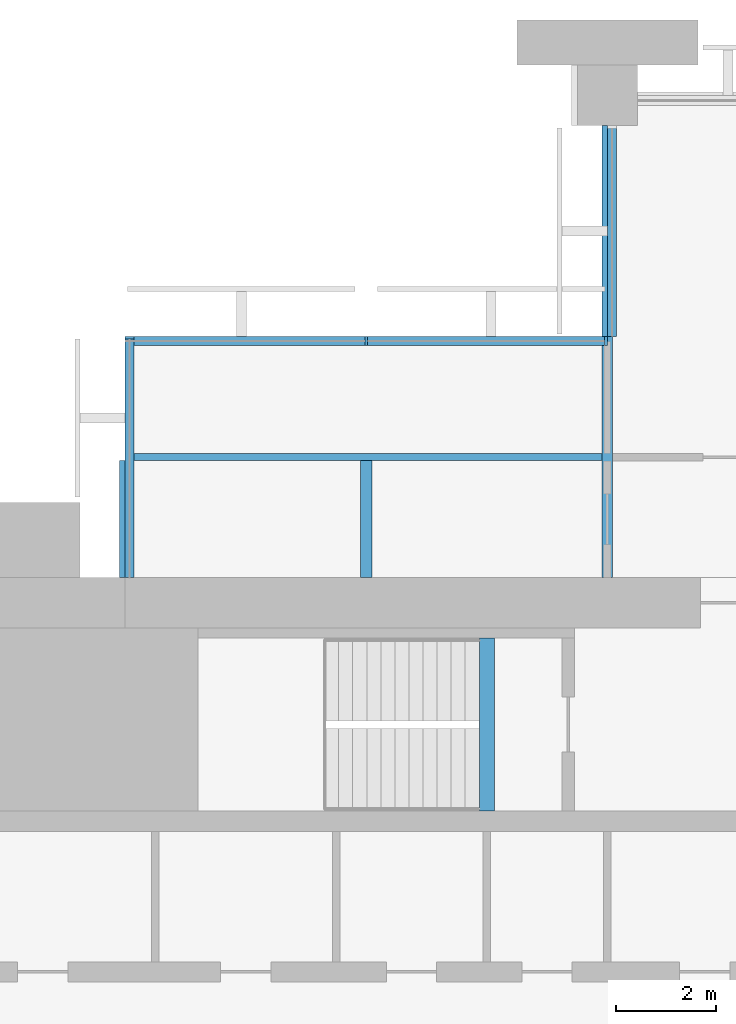
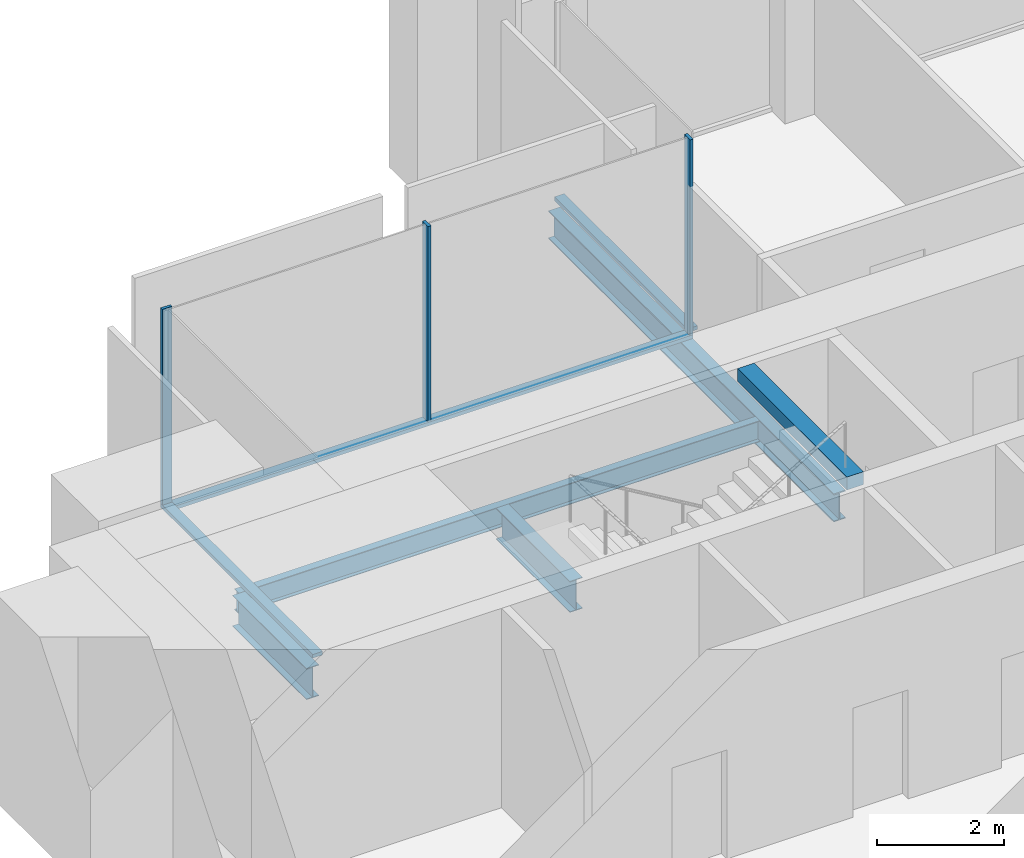
# One storey, part 5 of 14: 6 members, 5 beams, 3 elements without a shape of their own.
"""IFC4 building model written with IfcOpenShell, lengths in metres."""

from ifc_helpers import new_model, si_unit, direction, frame, origin, origin_2d, place, context, subcontext, project, spatial, rectangle, i_section, extrude, material, material_profile, profile_set, type_object, element, aggregate, save


model = new_model("IFC4")

# Units and contexts
model_context = context("Model", 3, precision=1e-05, world=origin(), true_north=direction((0.0, 1.0)))
body_context = subcontext(model_context, "Body", "Model", "MODEL_VIEW")
ifc_project = project(units=[si_unit("LENGTHUNIT", "METRE"), si_unit("AREAUNIT", "SQUARE_METRE"), si_unit("VOLUMEUNIT", "CUBIC_METRE"), si_unit("PLANEANGLEUNIT", "RADIAN"), si_unit("MASSUNIT", "GRAM", prefix="KILO")], contexts=[model_context])

# Site, building, storey
site_placement = place(None, origin())
site = spatial("IfcSite", under=ifc_project, at=site_placement, CompositionType="ELEMENT")
building_placement = place(site_placement, origin())
building = spatial("IfcBuilding", under=site, at=building_placement, Name="Baori Bourse Tower", CompositionType="ELEMENT")
storey_placement = place(building_placement, frame((0.0, 0.0, 120.10009765625)))
storey = spatial("IfcBuildingStorey", under=building, at=storey_placement, Name="L25", CompositionType="ELEMENT", Elevation=120.10009765625)

# Curtain wall, members
ifc_material_1 = material(Name="Pale anodised aluminium", Category="aluminium")
curtain_wall_type = type_object("IfcCurtainWallType", Name="CW2 Curtain wall", PredefinedType="NOTDEFINED", material=ifc_material_1)
curtain_wall_1_placement = place(storey_placement, origin())
curtain_wall_1 = element("IfcCurtainWall", 1, at=curtain_wall_1_placement, inside=storey, type_object=curtain_wall_type, Name="Curtain wall CW2 L25 6", PredefinedType="NOTDEFINED")
ifc_material_2 = material(Name="Pale anodised aluminium", Category="aluminium")
ifc_material_profile_1 = material_profile(ifc_material_2, rectangle(XDim=0.179931640625, YDim=0.054931640625, at=origin_2d()), Name="Mullion 55x180")
ifc_profile_set_1 = profile_set([ifc_material_profile_1], Name="Pale anodised aluminium")
member_type_1 = type_object("IfcMemberType", Name="CW2 Curtain wall mullion", PredefinedType="MULLION", material=ifc_profile_set_1)
member_1_placement = place(storey_placement, frame((14.37255859375, 43.110107421875, 0.06982421875), z_axis=(0.0, 0.0, 1.0), x_axis=(0.0, -1.0, 0.0)))
member_1 = element("IfcMember", 2, at=member_1_placement, type_object=member_type_1, Name="Curtain wall CW2 mullion", PredefinedType="MULLION", context=body_context, shape_type="SweptSolid", body=[
    extrude(rectangle(XDim=0.179931640625, YDim=0.054931640625, at=origin_2d()), origin(), (0.0, 0.0, 1.0), 3.77001953125),
])
member_2_placement = place(storey_placement, frame((9.60009765625, 43.110107421875, 0.06982421875), z_axis=(0.0, 0.0, 1.0), x_axis=(0.0, -1.0, 0.0)))
member_2 = element("IfcMember", 3, at=member_2_placement, type_object=member_type_1, Name="Curtain wall CW2 mullion", PredefinedType="MULLION", context=body_context, shape_type="SweptSolid", body=[
    extrude(rectangle(XDim=0.179931640625, YDim=0.054931640625, at=origin_2d()), origin(), (0.0, 0.0, 1.0), 3.77001953125),
])

# Curtain wall, member
curtain_wall_2_placement = place(storey_placement, origin())
curtain_wall_2 = element("IfcCurtainWall", 4, at=curtain_wall_2_placement, inside=storey, type_object=curtain_wall_type, Name="Curtain wall CW2 L25 7", PredefinedType="NOTDEFINED")
member_3_placement = place(storey_placement, frame((4.889892578125, 43.172607421875, 0.06982421875), z_axis=(0.0, 0.0, 1.0), x_axis=(1.0, 0.0, 0.0)))
member_3 = element("IfcMember", 5, at=member_3_placement, type_object=member_type_1, Name="Curtain wall CW2 mullion", PredefinedType="MULLION", context=body_context, shape_type="SweptSolid", body=[
    extrude(rectangle(XDim=0.179931640625, YDim=0.054931640625, at=origin_2d()), origin(), (0.0, 0.0, 1.0), 3.77001953125),
])

curtain_wall_3_placement = place(storey_placement, origin())
curtain_wall_3 = element("IfcCurtainWall", 6, at=curtain_wall_3_placement, inside=storey, type_object=curtain_wall_type, Name="Curtain wall CW2 L25 5", PredefinedType="NOTDEFINED")
ifc_material_3 = material(Name="Pale anodised aluminium", Category="aluminium")
ifc_material_profile_2 = material_profile(ifc_material_3, rectangle(XDim=0.179931640625, YDim=0.070068359375, at=origin_2d()), Name="Transom 70x180")
ifc_profile_set_2 = profile_set([ifc_material_profile_2], Name="Pale anodised aluminium")
member_type_2 = type_object("IfcMemberType", Name="CW2 Curtain wall transom", PredefinedType="USERDEFINED", material=ifc_profile_set_2)
member_4_placement = place(storey_placement, frame((14.489990234375, 47.39990234375, 0.034912109375), z_axis=(0.0, -1.0, 0.0), x_axis=(1.0, 0.0, 0.0)))
member_4 = element("IfcMember", 7, at=member_4_placement, type_object=member_type_2, Name="Curtain wall CW2 sill rail", ObjectType="TRANSOM", PredefinedType="USERDEFINED", context=body_context, shape_type="SweptSolid", body=[
    extrude(rectangle(XDim=0.179931640625, YDim=0.070068359375, at=origin_2d()), origin(), (0.0, 0.0, 1.0), 4.199951171875),
])
aggregate(curtain_wall_3, [member_4])

# Member
member_5_placement = place(storey_placement, frame((14.39990234375, 43.110107421875, 0.034912109375), z_axis=(-1.0, 0.0, 0.0), x_axis=(0.0, -1.0, 0.0)))
member_5 = element("IfcMember", 8, at=member_5_placement, type_object=member_type_2, Name="Curtain wall CW2 sill rail", ObjectType="TRANSOM", PredefinedType="USERDEFINED", context=body_context, shape_type="SweptSolid", body=[
    extrude(rectangle(XDim=0.179931640625, YDim=0.070068359375, at=origin_2d()), origin(), (0.0, 0.0, 1.0), 9.599853515625),
])

aggregate(curtain_wall_1, [member_5, member_1, member_2])

member_6_placement = place(storey_placement, frame((4.889892578125, 43.199951171875, 0.034912109375), z_axis=(0.0, -1.0, 0.0), x_axis=(1.0, 0.0, 0.0)))
member_6 = element("IfcMember", 9, at=member_6_placement, type_object=member_type_2, Name="Curtain wall CW2 sill rail", ObjectType="TRANSOM", PredefinedType="USERDEFINED", context=body_context, shape_type="SweptSolid", body=[
    extrude(rectangle(XDim=0.179931640625, YDim=0.070068359375, at=origin_2d()), origin(), (0.0, 0.0, 1.0), 4.800048828125),
])

aggregate(curtain_wall_2, [member_6, member_3])

# Beams
ifc_material_4 = material(Name="Steel A992 Gr 50", Category="steel")
ifc_material_profile_3 = material_profile(ifc_material_4, i_section(OverallWidth=0.227783203125, OverallDepth=0.60205078125, WebThickness=0.010498046875, FlangeThickness=0.014892578125, at=origin_2d()), Name="W24x68")
ifc_profile_set_3 = profile_set([ifc_material_profile_3], Name="Steel A992 Gr 50")
beam_type_1 = type_object("IfcBeamType", Name="Core bracket W24x68", PredefinedType="BEAM", material=ifc_profile_set_3)
for number, where, z_axis, x_axis, name in (
    (10, (4.800048828125, 38.39990234375, -0.461181640625), (0.0, 1.0, 0.0), (-1.0, 0.0, 0.0), "Core bracket L25"),
    (11, (9.60009765625, 38.39990234375, -0.461181640625), (0.0, 1.0, 0.0), (-1.0, 0.0, 0.0), "Core bracket L25"),
):
    element("IfcBeam", number, at=place(storey_placement, frame(where, z_axis=z_axis, x_axis=x_axis)), inside=storey, type_object=beam_type_1, Name=name, PredefinedType="BEAM", context=body_context, shape_type="SweptSolid", body=[
        extrude(i_section(OverallWidth=0.227783203125, OverallDepth=0.60205078125, WebThickness=0.010498046875, FlangeThickness=0.014892578125, at=origin_2d()), origin(), (0.0, 0.0, 1.0), 2.329833984375),
    ])
ifc_material_5 = material(Name="Steel A992 Gr 50", Category="steel")
ifc_material_profile_4 = material_profile(ifc_material_5, i_section(OverallWidth=0.21240234375, OverallDepth=0.54345703125, WebThickness=0.01318359375, FlangeThickness=0.021240234375, at=origin_2d()), Name="W21x83")
ifc_profile_set_4 = profile_set([ifc_material_profile_4], Name="Steel A992 Gr 50")
beam_type_2 = type_object("IfcBeamType", Name="Floor beam W21x83", PredefinedType="BEAM", material=ifc_profile_set_4)
beam_1_placement = place(storey_placement, frame((14.39990234375, 38.39990234375, -0.431884765625), z_axis=(0.0, 1.0, 0.0), x_axis=(-1.0, 0.0, 0.0)))
element("IfcBeam", 12, at=beam_1_placement, inside=storey, type_object=beam_type_2, Name="Floor beam L25", PredefinedType="BEAM", context=body_context, shape_type="SweptSolid", body=[
    extrude(i_section(OverallWidth=0.21240234375, OverallDepth=0.54345703125, WebThickness=0.01318359375, FlangeThickness=0.021240234375, at=origin_2d()), origin(), (0.0, 0.0, 1.0), 9.0),
])
ifc_material_6 = material(Name="Concrete f'c 50 MPa", Category="concrete")
ifc_material_profile_5 = material_profile(ifc_material_6, rectangle(XDim=0.300048828125, YDim=0.25, at=origin_2d()), Name="RC 300x250")
ifc_profile_set_5 = profile_set([ifc_material_profile_5], Name="Concrete f'c 50 MPa")
beam_type_3 = type_object("IfcBeamType", Name="Stair nib beam RC 300x250", PredefinedType="BEAM", material=ifc_profile_set_5)
beam_2_placement = place(storey_placement, frame((12.0, 33.75, 3.71484375), z_axis=(0.0, 1.0, 0.0), x_axis=(-1.0, 0.0, 0.0)))
element("IfcBeam", 13, at=beam_2_placement, inside=storey, type_object=beam_type_3, Name="Stair WB nib beam L26", PredefinedType="BEAM", context=body_context, shape_type="SweptSolid", body=[
    extrude(rectangle(XDim=0.300048828125, YDim=0.25, at=origin_2d()), origin(), (0.0, 0.0, 1.0), 3.449951171875),
])
ifc_material_7 = material(Name="Steel A992 Gr 50", Category="steel")
ifc_material_profile_6 = material_profile(ifc_material_7, i_section(OverallWidth=0.140380859375, OverallDepth=0.40380859375, WebThickness=0.007080078125, FlangeThickness=0.01123046875, at=origin_2d()), Name="W16x31")
ifc_profile_set_6 = profile_set([ifc_material_profile_6], Name="Steel A992 Gr 50")
beam_type_4 = type_object("IfcBeamType", Name="Trimmer beam W16x31", PredefinedType="BEAM", material=ifc_profile_set_6)
beam_3_placement = place(storey_placement, frame((4.800048828125, 40.800048828125, -0.362060546875), z_axis=(1.0, 0.0, 0.0), x_axis=(0.0, 1.0, 0.0)))
element("IfcBeam", 14, at=beam_3_placement, inside=storey, type_object=beam_type_4, Name="Trimmer beam L25", PredefinedType="BEAM", context=body_context, shape_type="SweptSolid", body=[
    extrude(i_section(OverallWidth=0.140380859375, OverallDepth=0.40380859375, WebThickness=0.007080078125, FlangeThickness=0.01123046875, at=origin_2d()), origin(), (0.0, 0.0, 1.0), 9.493896484375),
])

save(model, "model.ifc")
